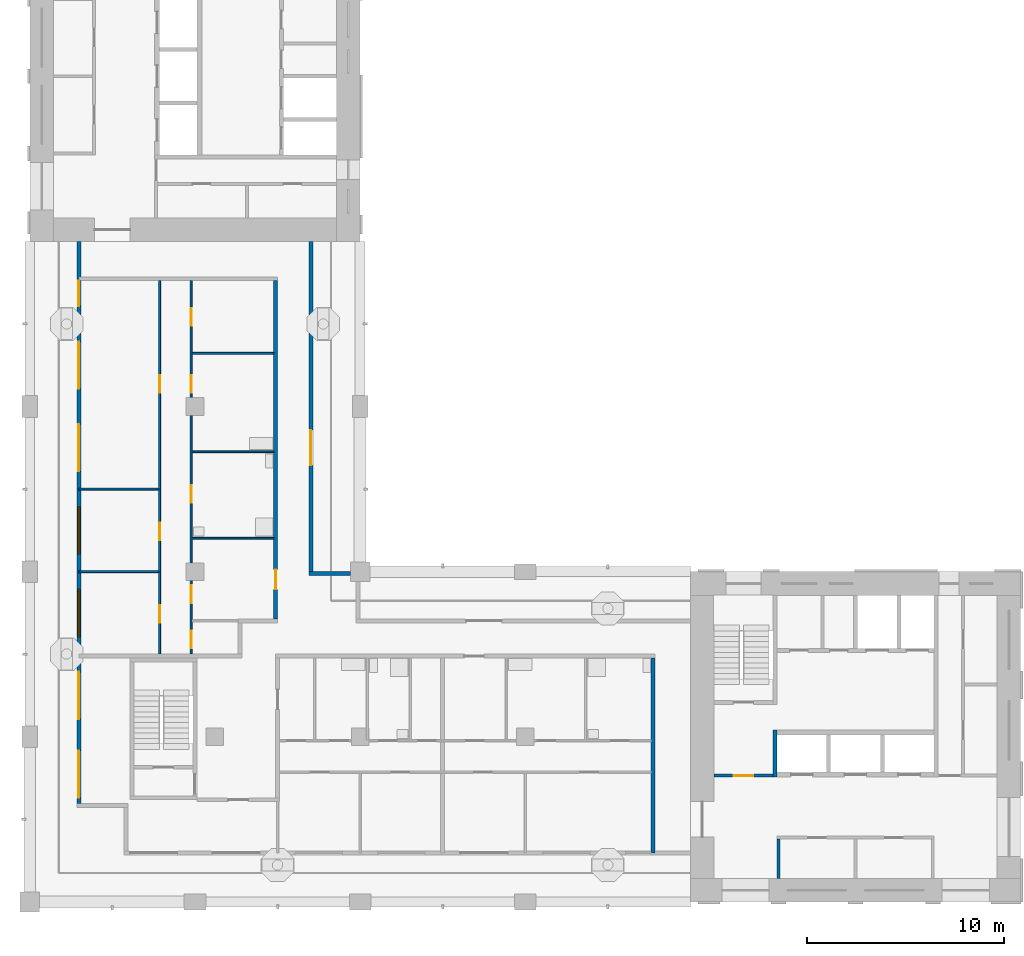
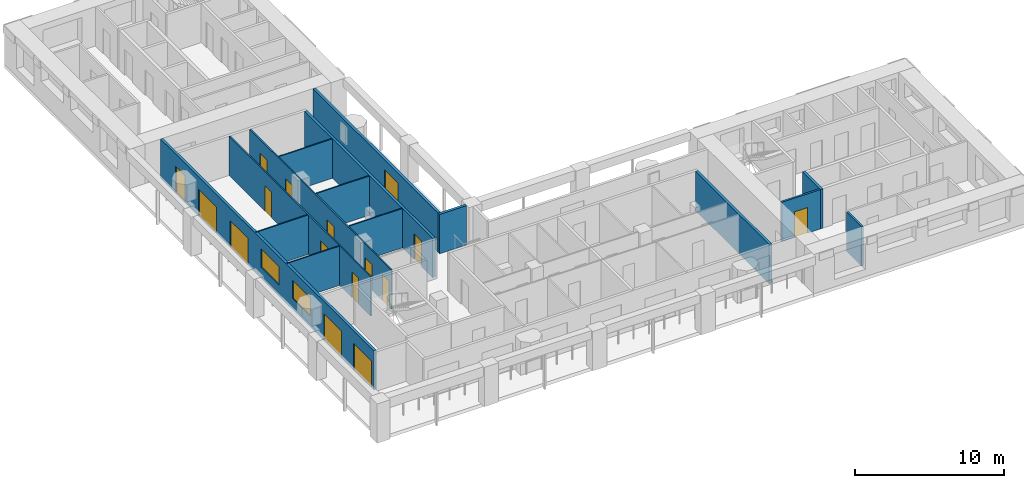
# One storey, part 3 of 11: 16 doors, 15 walls, 2 windows, 18 openings.
"""IFC4 building model written with IfcOpenShell, lengths in metres."""

from ifc_helpers import new_model, si_unit, direction, frame, frame_2d, origin, place, context, subcontext, project, spatial, rectangle, extrude, material, layer, layer_set, type_object, element, fill, save


model = new_model("IFC4")

# Units and contexts
model_context = context("Model", 3, precision=1e-05, world=origin(), true_north=direction((0.0, 1.0)))
body_context = subcontext(model_context, "Body", "Model", "MODEL_VIEW")
ifc_project = project(units=[si_unit("LENGTHUNIT", "METRE"), si_unit("AREAUNIT", "SQUARE_METRE"), si_unit("VOLUMEUNIT", "CUBIC_METRE"), si_unit("PLANEANGLEUNIT", "RADIAN"), si_unit("MASSUNIT", "GRAM", prefix="KILO")], contexts=[model_context])

# Site, building, storey
site_placement = place(None, origin())
site = spatial("IfcSite", under=ifc_project, at=site_placement, CompositionType="ELEMENT")
building_placement = place(site_placement, origin())
building = spatial("IfcBuilding", under=site, at=building_placement, Name="Vermilion Gate Residences", CompositionType="ELEMENT")
storey_placement = place(building_placement, frame((0.0, 0.0, 263.199951171875)))
storey = spatial("IfcBuildingStorey", under=building, at=storey_placement, Name="L69", CompositionType="ELEMENT", Elevation=263.199951171875)

# Wall
ifc_material_1 = material(Name="Masonry blockwork", Category="masonry")
ifc_layer_1 = layer(ifc_material_1, 0.14990234375)
ifc_layer_set_1 = layer_set([ifc_layer_1], Name="BLOCKWORK PARTITION 150 EI 120")
wall_type_1 = type_object("IfcWallType", Name="BLOCKWORK PARTITION 150 EI 120", PredefinedType="PARTITIONING", material=ifc_layer_set_1)
wall_1_placement = place(storey_placement, frame((46.47509765625, 9.60009765625, 0.0), z_axis=(0.0, 0.0, 1.0), x_axis=(0.0, 1.0, 0.0)))
element("IfcWall", 1, at=wall_1_placement, inside=storey, type_object=wall_type_1, Name="Core room partition A69-RW-W", PredefinedType="PARTITIONING", context=body_context, shape_type="SweptSolid", body=[
    extrude(rectangle(XDim=2.0, YDim=0.14990234375, at=frame_2d((1.0, 0.0))), origin(), (0.0, 0.0, 1.0), 3.219970703125),
])

# Wall, opening, door
wall_2_placement = place(storey_placement, frame((43.199951171875, 14.824951171875, 0.0), z_axis=(0.0, 0.0, 1.0), x_axis=(1.0, 0.0, 0.0)))
wall_2 = element("IfcWall", 2, at=wall_2_placement, inside=storey, type_object=wall_type_1, Name="Core room partition A69-VW-S", PredefinedType="PARTITIONING", context=body_context, shape_type="SweptSolid", body=[
    extrude(rectangle(XDim=3.0, YDim=0.14990234375, at=frame_2d((1.5, 0.0))), origin(), (0.0, 0.0, 1.0), 3.219970703125),
])
opening_1_placement = place(wall_2_placement, frame((1.0, 0.0, 0.0)))
opening_1 = element("IfcOpeningElement", 3, at=opening_1_placement, cuts=wall_2, Name="Opening DK69011", PredefinedType="OPENING", context=body_context, shape_type="SweptSolid", body=[
    extrude(rectangle(XDim=1.0, YDim=2.10009765625, at=frame_2d((0.5, 1.050048828125))), frame((0.0, 0.0849609375, 0.0), z_axis=(0.0, -1.0, 0.0), x_axis=(1.0, 0.0, 0.0)), (0.0, 0.0, 1.0), 0.169921875),
])
ifc_material_2 = material(Name="Steel", Category="steel")
door_type_1 = type_object("IfcDoorType", Name="FIRE DOOR FD60 1000 X 2100", OperationType="SINGLE_SWING_LEFT", PredefinedType="DOOR", material=ifc_material_2)
door_1_placement = place(opening_1_placement, frame((1.0, 0.0, 0.0), z_axis=(0.0, 0.0, 1.0), x_axis=(-1.0, 0.0, 0.0)))
door_1 = element("IfcDoor", 4, at=door_1_placement, inside=storey, type_object=door_type_1, Name="Stair vestibule door A69", OperationType="SINGLE_SWING_RIGHT", OverallHeight=2.10009765625, OverallWidth=1.0, PredefinedType="DOOR", context=body_context, shape_type="SweptSolid", body=[
    extrude(rectangle(XDim=1.0, YDim=2.10009765625, at=frame_2d((0.5, 1.050048828125))), frame((0.0, 0.02490234375, 0.0), z_axis=(0.0, -1.0, 0.0), x_axis=(1.0, 0.0, 0.0)), (0.0, 0.0, 1.0), 0.050048828125),
])
fill(opening_1, door_1)

# Wall, openings, doors, windows
ifc_material_3 = material(Name="Insulated steel stud wall with terracotta rainscreen", Category="masonry")
ifc_layer_2 = layer(ifc_material_3, 0.199951171875)
ifc_layer_set_2 = layer_set([ifc_layer_2], Name="EXTERNAL WALL 200 TERRACOTTA RAINSCREEN")
wall_type_2 = type_object("IfcWallType", Name="EXTERNAL WALL 200 TERRACOTTA RAINSCREEN", PredefinedType="SOLIDWALL", material=ifc_layer_set_2)
wall_3_placement = place(storey_placement, frame((10.89990234375, 42.0, 0.0), z_axis=(0.0, 0.0, 1.0), x_axis=(0.0, -1.0, 0.0)))
wall_3 = element("IfcWall", 5, at=wall_3_placement, inside=storey, type_object=wall_type_2, Name="External wall", PredefinedType="SOLIDWALL", context=body_context, shape_type="SweptSolid", body=[
    extrude(rectangle(XDim=28.60009765625, YDim=0.199951171875, at=frame_2d((14.300048828125, 0.0))), origin(), (0.0, 0.0, 1.0), 3.219970703125),
])
opening_2_placement = place(wall_3_placement, frame((25.89990234375, 0.0, 0.0)))
opening_2 = element("IfcOpeningElement", 6, at=opening_2_placement, cuts=wall_3, Name="Opening DE69001", PredefinedType="OPENING", context=body_context, shape_type="SweptSolid", body=[
    extrude(rectangle(XDim=2.39990234375, YDim=2.199951171875, at=frame_2d((1.199951171875, 1.10009765625))), frame((0.0, 0.10986328125, 0.0), z_axis=(0.0, -1.0, 0.0), x_axis=(1.0, 0.0, 0.0)), (0.0, 0.0, 1.0), 0.219970703125),
])
opening_3_placement = place(wall_3_placement, frame((21.89990234375, 0.0, 0.0)))
opening_3 = element("IfcOpeningElement", 7, at=opening_3_placement, cuts=wall_3, Name="Opening DE69002", PredefinedType="OPENING", context=body_context, shape_type="SweptSolid", body=[
    extrude(rectangle(XDim=2.39990234375, YDim=2.199951171875, at=frame_2d((1.199951171875, 1.10009765625))), frame((0.0, 0.10986328125, 0.0), z_axis=(0.0, -1.0, 0.0), x_axis=(1.0, 0.0, 0.0)), (0.0, 0.0, 1.0), 0.219970703125),
])
opening_4_placement = place(wall_3_placement, frame((17.699951171875, 0.0, 0.89990234375)))
opening_4 = element("IfcOpeningElement", 8, at=opening_4_placement, cuts=wall_3, Name="Opening WE69003", PredefinedType="OPENING", context=body_context, shape_type="SweptSolid", body=[
    extrude(rectangle(XDim=2.39990234375, YDim=1.5, at=frame_2d((1.199951171875, 0.75))), frame((0.0, 0.10986328125, 0.0), z_axis=(0.0, -1.0, 0.0), x_axis=(1.0, 0.0, 0.0)), (0.0, 0.0, 1.0), 0.219970703125),
])
opening_5_placement = place(wall_3_placement, frame((13.5, 0.0, 0.89990234375)))
opening_5 = element("IfcOpeningElement", 9, at=opening_5_placement, cuts=wall_3, Name="Opening WE69004", PredefinedType="OPENING", context=body_context, shape_type="SweptSolid", body=[
    extrude(rectangle(XDim=2.39990234375, YDim=1.5, at=frame_2d((1.199951171875, 0.75))), frame((0.0, 0.10986328125, 0.0), z_axis=(0.0, -1.0, 0.0), x_axis=(1.0, 0.0, 0.0)), (0.0, 0.0, 1.0), 0.219970703125),
])
opening_6_placement = place(wall_3_placement, frame((9.300048828125, 0.0, 0.0)))
opening_6 = element("IfcOpeningElement", 10, at=opening_6_placement, cuts=wall_3, Name="Opening DE69005", PredefinedType="OPENING", context=body_context, shape_type="SweptSolid", body=[
    extrude(rectangle(XDim=2.39990234375, YDim=2.199951171875, at=frame_2d((1.199951171875, 1.10009765625))), frame((0.0, 0.10986328125, 0.0), z_axis=(0.0, -1.0, 0.0), x_axis=(1.0, 0.0, 0.0)), (0.0, 0.0, 1.0), 0.219970703125),
])
opening_7_placement = place(wall_3_placement, frame((5.10009765625, 0.0, 0.0)))
opening_7 = element("IfcOpeningElement", 11, at=opening_7_placement, cuts=wall_3, Name="Opening DE69006", PredefinedType="OPENING", context=body_context, shape_type="SweptSolid", body=[
    extrude(rectangle(XDim=2.39990234375, YDim=2.199951171875, at=frame_2d((1.199951171875, 1.10009765625))), frame((0.0, 0.10986328125, 0.0), z_axis=(0.0, -1.0, 0.0), x_axis=(1.0, 0.0, 0.0)), (0.0, 0.0, 1.0), 0.219970703125),
])
opening_8_placement = place(wall_3_placement, frame((2.0, 0.0, 0.0)))
opening_8 = element("IfcOpeningElement", 12, at=opening_8_placement, cuts=wall_3, Name="Opening DE69007", PredefinedType="OPENING", context=body_context, shape_type="SweptSolid", body=[
    extrude(rectangle(XDim=1.300048828125, YDim=2.199951171875, at=frame_2d((0.64990234375, 1.10009765625))), frame((0.0, 0.10986328125, 0.0), z_axis=(0.0, -1.0, 0.0), x_axis=(1.0, 0.0, 0.0)), (0.0, 0.0, 1.0), 0.219970703125),
])
ifc_material_4 = material(Name="Aluminium and clear glass", Category="aluminium")
door_type_2 = type_object("IfcDoorType", Name="SLIDING GLAZED DOOR 1300 X 2200", OperationType="DOUBLE_DOOR_SLIDING", PredefinedType="DOOR", material=ifc_material_4)
door_2_placement = place(opening_8_placement, origin())
door_2 = element("IfcDoor", 13, at=door_2_placement, inside=storey, type_object=door_type_2, Name="Loggia sliding door", OperationType="DOUBLE_DOOR_SLIDING", OverallHeight=2.199951171875, OverallWidth=1.300048828125, PredefinedType="DOOR", context=body_context, shape_type="SweptSolid", body=[
    extrude(rectangle(XDim=1.300048828125, YDim=2.199951171875, at=frame_2d((0.64990234375, 1.10009765625))), frame((0.0, 0.02490234375, 0.0), z_axis=(0.0, -1.0, 0.0), x_axis=(1.0, 0.0, 0.0)), (0.0, 0.0, 1.0), 0.050048828125),
])
fill(opening_8, door_2)
ifc_material_5 = material(Name="Aluminium and clear glass", Category="aluminium")
door_type_3 = type_object("IfcDoorType", Name="SLIDING GLAZED DOOR 2400 X 2200", OperationType="DOUBLE_DOOR_SLIDING", PredefinedType="DOOR", material=ifc_material_5)
door_3_placement = place(opening_2_placement, origin())
door_3 = element("IfcDoor", 14, at=door_3_placement, inside=storey, type_object=door_type_3, Name="Loggia sliding door", OperationType="DOUBLE_DOOR_SLIDING", OverallHeight=2.199951171875, OverallWidth=2.39990234375, PredefinedType="DOOR", context=body_context, shape_type="SweptSolid", body=[
    extrude(rectangle(XDim=2.39990234375, YDim=2.199951171875, at=frame_2d((1.199951171875, 1.10009765625))), frame((0.0, 0.02490234375, 0.0), z_axis=(0.0, -1.0, 0.0), x_axis=(1.0, 0.0, 0.0)), (0.0, 0.0, 1.0), 0.050048828125),
])
fill(opening_2, door_3)
door_4_placement = place(opening_3_placement, origin())
door_4 = element("IfcDoor", 15, at=door_4_placement, inside=storey, type_object=door_type_3, Name="Loggia sliding door", OperationType="DOUBLE_DOOR_SLIDING", OverallHeight=2.199951171875, OverallWidth=2.39990234375, PredefinedType="DOOR", context=body_context, shape_type="SweptSolid", body=[
    extrude(rectangle(XDim=2.39990234375, YDim=2.199951171875, at=frame_2d((1.199951171875, 1.10009765625))), frame((0.0, 0.02490234375, 0.0), z_axis=(0.0, -1.0, 0.0), x_axis=(1.0, 0.0, 0.0)), (0.0, 0.0, 1.0), 0.050048828125),
])
fill(opening_3, door_4)
door_5_placement = place(opening_6_placement, origin())
door_5 = element("IfcDoor", 16, at=door_5_placement, inside=storey, type_object=door_type_3, Name="Loggia sliding door", OperationType="DOUBLE_DOOR_SLIDING", OverallHeight=2.199951171875, OverallWidth=2.39990234375, PredefinedType="DOOR", context=body_context, shape_type="SweptSolid", body=[
    extrude(rectangle(XDim=2.39990234375, YDim=2.199951171875, at=frame_2d((1.199951171875, 1.10009765625))), frame((0.0, 0.02490234375, 0.0), z_axis=(0.0, -1.0, 0.0), x_axis=(1.0, 0.0, 0.0)), (0.0, 0.0, 1.0), 0.050048828125),
])
fill(opening_6, door_5)
door_6_placement = place(opening_7_placement, origin())
door_6 = element("IfcDoor", 17, at=door_6_placement, inside=storey, type_object=door_type_3, Name="Loggia sliding door", OperationType="DOUBLE_DOOR_SLIDING", OverallHeight=2.199951171875, OverallWidth=2.39990234375, PredefinedType="DOOR", context=body_context, shape_type="SweptSolid", body=[
    extrude(rectangle(XDim=2.39990234375, YDim=2.199951171875, at=frame_2d((1.199951171875, 1.10009765625))), frame((0.0, 0.02490234375, 0.0), z_axis=(0.0, -1.0, 0.0), x_axis=(1.0, 0.0, 0.0)), (0.0, 0.0, 1.0), 0.050048828125),
])
fill(opening_7, door_6)
ifc_material_6 = material(Name="Aluminium and clear glass", Category="aluminium")
window_type = type_object("IfcWindowType", Name="WINDOW 2400 X 1500", PartitioningType="SINGLE_PANEL", PredefinedType="WINDOW", material=ifc_material_6)
window_1_placement = place(opening_4_placement, origin())
window_1 = element("IfcWindow", 18, at=window_1_placement, inside=storey, type_object=window_type, Name="Window", OverallHeight=1.5, OverallWidth=2.39990234375, PartitioningType="SINGLE_PANEL", PredefinedType="WINDOW", context=body_context, shape_type="SweptSolid", body=[
    extrude(rectangle(XDim=2.39990234375, YDim=1.5, at=frame_2d((1.199951171875, 0.75))), frame((0.0, 0.030029296875, 0.0), z_axis=(0.0, -1.0, 0.0), x_axis=(1.0, 0.0, 0.0)), (0.0, 0.0, 1.0), 0.06005859375),
])
fill(opening_4, window_1)
window_2_placement = place(opening_5_placement, origin())
window_2 = element("IfcWindow", 19, at=window_2_placement, inside=storey, type_object=window_type, Name="Window", OverallHeight=1.5, OverallWidth=2.39990234375, PartitioningType="SINGLE_PANEL", PredefinedType="WINDOW", context=body_context, shape_type="SweptSolid", body=[
    extrude(rectangle(XDim=2.39990234375, YDim=1.5, at=frame_2d((1.199951171875, 0.75))), frame((0.0, 0.030029296875, 0.0), z_axis=(0.0, -1.0, 0.0), x_axis=(1.0, 0.0, 0.0)), (0.0, 0.0, 1.0), 0.06005859375),
])
fill(opening_5, window_2)

# Wall
wall_4_placement = place(storey_placement, frame((24.699951171875, 25.10009765625, 0.0), z_axis=(0.0, 0.0, 1.0), x_axis=(-1.0, 0.0, 0.0)))
element("IfcWall", 20, at=wall_4_placement, inside=storey, type_object=wall_type_2, Name="External wall", PredefinedType="SOLIDWALL", context=body_context, shape_type="SweptSolid", body=[
    extrude(rectangle(XDim=2.099853515625, YDim=0.199951171875, at=frame_2d((1.0498046875, 0.0))), origin(), (0.0, 0.0, 1.0), 3.219970703125),
])

# Wall, opening, door
wall_5_placement = place(storey_placement, frame((22.699951171875, 25.199951171875, 0.0), z_axis=(0.0, 0.0, 1.0), x_axis=(0.0, 1.0, 0.0)))
wall_5 = element("IfcWall", 21, at=wall_5_placement, inside=storey, type_object=wall_type_2, Name="External wall", PredefinedType="SOLIDWALL", context=body_context, shape_type="SweptSolid", body=[
    extrude(rectangle(XDim=16.800048828125, YDim=0.199951171875, at=frame_2d((8.39990234375, 0.0))), origin(), (0.0, 0.0, 1.0), 3.219970703125),
])
opening_9_placement = place(wall_5_placement, frame((5.39990234375, 0.0, 0.0)))
opening_9 = element("IfcOpeningElement", 22, at=opening_9_placement, cuts=wall_5, Name="Opening DE69016", PredefinedType="OPENING", context=body_context, shape_type="SweptSolid", body=[
    extrude(rectangle(XDim=1.800048828125, YDim=2.39990234375, at=frame_2d((0.89990234375, 1.199951171875))), frame((0.0, 0.10986328125, 0.0), z_axis=(0.0, -1.0, 0.0), x_axis=(1.0, 0.0, 0.0)), (0.0, 0.0, 1.0), 0.219970703125),
])
ifc_material_7 = material(Name="Aluminium and clear glass", Category="aluminium")
door_type_4 = type_object("IfcDoorType", Name="GLAZED EXTERNAL DOOR 1800 X 2400", OperationType="DOUBLE_DOOR_SINGLE_SWING", PredefinedType="DOOR", material=ifc_material_7)
door_7_placement = place(opening_9_placement, frame((1.800048828125, 0.0, 0.0), z_axis=(0.0, 0.0, 1.0), x_axis=(-1.0, 0.0, 0.0)))
door_7 = element("IfcDoor", 23, at=door_7_placement, inside=storey, type_object=door_type_4, Name="Gallery door", OperationType="DOUBLE_DOOR_SINGLE_SWING", OverallHeight=2.39990234375, OverallWidth=1.800048828125, PredefinedType="DOOR", context=body_context, shape_type="SweptSolid", body=[
    extrude(rectangle(XDim=1.800048828125, YDim=2.39990234375, at=frame_2d((0.89990234375, 1.199951171875))), frame((0.0, 0.02490234375, 0.0), z_axis=(0.0, -1.0, 0.0), x_axis=(1.0, 0.0, 0.0)), (0.0, 0.0, 1.0), 0.050048828125),
])
fill(opening_9, door_7)

# Walls
ifc_material_8 = material(Name="Plasterboard on steel studs", Category="steel")
ifc_layer_3 = layer(ifc_material_8, 0.10009765625)
ifc_layer_set_3 = layer_set([ifc_layer_3], Name="PARTITION 100")
wall_type_3 = type_object("IfcWallType", Name="PARTITION 100", PredefinedType="PARTITIONING", material=ifc_layer_set_3)
wall_6_placement = place(storey_placement, frame((10.89990234375, 25.199951171875, 0.0), z_axis=(0.0, 0.0, 1.0), x_axis=(1.0, 0.0, 0.0)))
element("IfcWall", 24, at=wall_6_placement, inside=storey, type_object=wall_type_3, Name="Partition", PredefinedType="PARTITIONING", context=body_context, shape_type="SweptSolid", body=[
    extrude(rectangle(XDim=4.050048828125, YDim=0.10009765625, at=frame_2d((2.02490234375, 0.0))), origin(), (0.0, 0.0, 1.0), 3.219970703125),
])
wall_7_placement = place(storey_placement, frame((16.64990234375, 26.89990234375, 0.0), z_axis=(0.0, 0.0, 1.0), x_axis=(1.0, 0.0, 0.0)))
element("IfcWall", 25, at=wall_7_placement, inside=storey, type_object=wall_type_3, Name="Partition", PredefinedType="PARTITIONING", context=body_context, shape_type="SweptSolid", body=[
    extrude(rectangle(XDim=4.150146484375, YDim=0.10009765625, at=frame_2d((2.0751953125, 0.0))), origin(), (0.0, 0.0, 1.0), 3.219970703125),
])
wall_8_placement = place(storey_placement, frame((10.89990234375, 29.39990234375, 0.0), z_axis=(0.0, 0.0, 1.0), x_axis=(1.0, 0.0, 0.0)))
element("IfcWall", 26, at=wall_8_placement, inside=storey, type_object=wall_type_3, Name="Partition", PredefinedType="PARTITIONING", context=body_context, shape_type="SweptSolid", body=[
    extrude(rectangle(XDim=4.050048828125, YDim=0.10009765625, at=frame_2d((2.02490234375, 0.0))), origin(), (0.0, 0.0, 1.0), 3.219970703125),
])
for number, where, z_axis, x_axis, name in (
    (27, (16.64990234375, 31.300048828125, 0.0), (0.0, 0.0, 1.0), (1.0, 0.0, 0.0), "Partition"),
    (28, (16.64990234375, 36.300048828125, 0.0), (0.0, 0.0, 1.0), (1.0, 0.0, 0.0), "Partition"),
):
    element("IfcWall", number, at=place(storey_placement, frame(where, z_axis=z_axis, x_axis=x_axis)), inside=storey, type_object=wall_type_3, Name=name, PredefinedType="PARTITIONING", context=body_context, shape_type="SweptSolid", body=[
        extrude(rectangle(XDim=4.150146484375, YDim=0.10009765625, at=frame_2d((2.0751953125, 0.0))), origin(), (0.0, 0.0, 1.0), 3.219970703125),
    ])

# Wall, openings, doors
wall_9_placement = place(storey_placement, frame((15.0, 21.0, 0.0), z_axis=(0.0, 0.0, 1.0), x_axis=(0.0, 1.0, 0.0)))
wall_9 = element("IfcWall", 29, at=wall_9_placement, inside=storey, type_object=wall_type_3, Name="Partition", PredefinedType="PARTITIONING", context=body_context, shape_type="SweptSolid", body=[
    extrude(rectangle(XDim=19.0, YDim=0.10009765625, at=frame_2d((9.5, 0.0))), origin(), (0.0, 0.0, 1.0), 3.219970703125),
])
opening_10_placement = place(wall_9_placement, frame((1.60009765625, 0.0, 0.0)))
opening_10 = element("IfcOpeningElement", 30, at=opening_10_placement, cuts=wall_9, Name="Opening DA67014", PredefinedType="OPENING", context=body_context, shape_type="SweptSolid", body=[
    extrude(rectangle(XDim=0.89990234375, YDim=2.10009765625, at=frame_2d((0.449951171875, 1.050048828125))), frame((0.0, 0.06005859375, 0.0), z_axis=(0.0, -1.0, 0.0), x_axis=(1.0, 0.0, 0.0)), (0.0, 0.0, 1.0), 0.1201171875),
])
opening_11_placement = place(wall_9_placement, frame((5.800048828125, 0.0, 0.0)))
opening_11 = element("IfcOpeningElement", 31, at=opening_11_placement, cuts=wall_9, Name="Opening DA67015", PredefinedType="OPENING", context=body_context, shape_type="SweptSolid", body=[
    extrude(rectangle(XDim=0.89990234375, YDim=2.10009765625, at=frame_2d((0.449951171875, 1.050048828125))), frame((0.0, 0.06005859375, 0.0), z_axis=(0.0, -1.0, 0.0), x_axis=(1.0, 0.0, 0.0)), (0.0, 0.0, 1.0), 0.1201171875),
])
opening_12_placement = place(wall_9_placement, frame((13.300048828125, 0.0, 0.0)))
opening_12 = element("IfcOpeningElement", 32, at=opening_12_placement, cuts=wall_9, Name="Opening DA67016", PredefinedType="OPENING", context=body_context, shape_type="SweptSolid", body=[
    extrude(rectangle(XDim=0.89990234375, YDim=2.10009765625, at=frame_2d((0.449951171875, 1.050048828125))), frame((0.0, 0.06005859375, 0.0), z_axis=(0.0, -1.0, 0.0), x_axis=(1.0, 0.0, 0.0)), (0.0, 0.0, 1.0), 0.1201171875),
])
ifc_material_9 = material(Name="Timber", Category="wood")
door_type_5 = type_object("IfcDoorType", Name="INTERIOR DOOR 900 X 2100", OperationType="SINGLE_SWING_LEFT", PredefinedType="DOOR", material=ifc_material_9)
door_8_placement = place(opening_10_placement, origin())
door_8 = element("IfcDoor", 33, at=door_8_placement, inside=storey, type_object=door_type_5, Name="Interior door", OperationType="SINGLE_SWING_LEFT", OverallHeight=2.10009765625, OverallWidth=0.89990234375, PredefinedType="DOOR", context=body_context, shape_type="SweptSolid", body=[
    extrude(rectangle(XDim=0.89990234375, YDim=2.10009765625, at=frame_2d((0.449951171875, 1.050048828125))), frame((0.0, 0.02490234375, 0.0), z_axis=(0.0, -1.0, 0.0), x_axis=(1.0, 0.0, 0.0)), (0.0, 0.0, 1.0), 0.050048828125),
])
fill(opening_10, door_8)
door_9_placement = place(opening_11_placement, origin())
door_9 = element("IfcDoor", 34, at=door_9_placement, inside=storey, type_object=door_type_5, Name="Interior door", OperationType="SINGLE_SWING_LEFT", OverallHeight=2.10009765625, OverallWidth=0.89990234375, PredefinedType="DOOR", context=body_context, shape_type="SweptSolid", body=[
    extrude(rectangle(XDim=0.89990234375, YDim=2.10009765625, at=frame_2d((0.449951171875, 1.050048828125))), frame((0.0, 0.02490234375, 0.0), z_axis=(0.0, -1.0, 0.0), x_axis=(1.0, 0.0, 0.0)), (0.0, 0.0, 1.0), 0.050048828125),
])
fill(opening_11, door_9)
door_10_placement = place(opening_12_placement, origin())
door_10 = element("IfcDoor", 35, at=door_10_placement, inside=storey, type_object=door_type_5, Name="Interior door", OperationType="SINGLE_SWING_LEFT", OverallHeight=2.10009765625, OverallWidth=0.89990234375, PredefinedType="DOOR", context=body_context, shape_type="SweptSolid", body=[
    extrude(rectangle(XDim=0.89990234375, YDim=2.10009765625, at=frame_2d((0.449951171875, 1.050048828125))), frame((0.0, 0.02490234375, 0.0), z_axis=(0.0, -1.0, 0.0), x_axis=(1.0, 0.0, 0.0)), (0.0, 0.0, 1.0), 0.050048828125),
])
fill(opening_12, door_10)

wall_10_placement = place(storey_placement, frame((16.60009765625, 21.0, 0.0), z_axis=(0.0, 0.0, 1.0), x_axis=(0.0, 1.0, 0.0)))
wall_10 = element("IfcWall", 36, at=wall_10_placement, inside=storey, type_object=wall_type_3, Name="Partition", PredefinedType="PARTITIONING", context=body_context, shape_type="SweptSolid", body=[
    extrude(rectangle(XDim=19.0, YDim=0.10009765625, at=frame_2d((9.5, 0.0))), origin(), (0.0, 0.0, 1.0), 3.219970703125),
])
opening_13_placement = place(wall_10_placement, frame((2.60009765625, 0.0, 0.0)))
opening_13 = element("IfcOpeningElement", 37, at=opening_13_placement, cuts=wall_10, Name="Opening DA67017", PredefinedType="OPENING", context=body_context, shape_type="SweptSolid", body=[
    extrude(rectangle(XDim=0.89990234375, YDim=2.10009765625, at=frame_2d((0.449951171875, 1.050048828125))), frame((0.0, 0.06005859375, 0.0), z_axis=(0.0, -1.0, 0.0), x_axis=(1.0, 0.0, 0.0)), (0.0, 0.0, 1.0), 0.1201171875),
])
opening_14_placement = place(wall_10_placement, frame((0.300048828125, 0.0, 0.0)))
opening_14 = element("IfcOpeningElement", 38, at=opening_14_placement, cuts=wall_10, Name="Opening DA67018", PredefinedType="OPENING", context=body_context, shape_type="SweptSolid", body=[
    extrude(rectangle(XDim=0.89990234375, YDim=2.10009765625, at=frame_2d((0.449951171875, 1.050048828125))), frame((0.0, 0.06005859375, 0.0), z_axis=(0.0, -1.0, 0.0), x_axis=(1.0, 0.0, 0.0)), (0.0, 0.0, 1.0), 0.1201171875),
])
opening_15_placement = place(wall_10_placement, frame((7.699951171875, 0.0, 0.0)))
opening_15 = element("IfcOpeningElement", 39, at=opening_15_placement, cuts=wall_10, Name="Opening DA67019", PredefinedType="OPENING", context=body_context, shape_type="SweptSolid", body=[
    extrude(rectangle(XDim=0.89990234375, YDim=2.10009765625, at=frame_2d((0.449951171875, 1.050048828125))), frame((0.0, 0.06005859375, 0.0), z_axis=(0.0, -1.0, 0.0), x_axis=(1.0, 0.0, 0.0)), (0.0, 0.0, 1.0), 0.1201171875),
])
opening_16_placement = place(wall_10_placement, frame((13.300048828125, 0.0, 0.0)))
opening_16 = element("IfcOpeningElement", 40, at=opening_16_placement, cuts=wall_10, Name="Opening DA67020", PredefinedType="OPENING", context=body_context, shape_type="SweptSolid", body=[
    extrude(rectangle(XDim=0.89990234375, YDim=2.10009765625, at=frame_2d((0.449951171875, 1.050048828125))), frame((0.0, 0.06005859375, 0.0), z_axis=(0.0, -1.0, 0.0), x_axis=(1.0, 0.0, 0.0)), (0.0, 0.0, 1.0), 0.1201171875),
])
opening_17_placement = place(wall_10_placement, frame((16.699951171875, 0.0, 0.0)))
opening_17 = element("IfcOpeningElement", 41, at=opening_17_placement, cuts=wall_10, Name="Opening DA67021", PredefinedType="OPENING", context=body_context, shape_type="SweptSolid", body=[
    extrude(rectangle(XDim=0.89990234375, YDim=2.10009765625, at=frame_2d((0.449951171875, 1.050048828125))), frame((0.0, 0.06005859375, 0.0), z_axis=(0.0, -1.0, 0.0), x_axis=(1.0, 0.0, 0.0)), (0.0, 0.0, 1.0), 0.1201171875),
])
door_11_placement = place(opening_13_placement, frame((0.89990234375, 0.0, 0.0), z_axis=(0.0, 0.0, 1.0), x_axis=(-1.0, 0.0, 0.0)))
door_11 = element("IfcDoor", 42, at=door_11_placement, inside=storey, type_object=door_type_5, Name="Interior door", OperationType="SINGLE_SWING_LEFT", OverallHeight=2.10009765625, OverallWidth=0.89990234375, PredefinedType="DOOR", context=body_context, shape_type="SweptSolid", body=[
    extrude(rectangle(XDim=0.89990234375, YDim=2.10009765625, at=frame_2d((0.449951171875, 1.050048828125))), frame((0.0, 0.02490234375, 0.0), z_axis=(0.0, -1.0, 0.0), x_axis=(1.0, 0.0, 0.0)), (0.0, 0.0, 1.0), 0.050048828125),
])
fill(opening_13, door_11)
door_12_placement = place(opening_14_placement, frame((0.89990234375, 0.0, 0.0), z_axis=(0.0, 0.0, 1.0), x_axis=(-1.0, 0.0, 0.0)))
door_12 = element("IfcDoor", 43, at=door_12_placement, inside=storey, type_object=door_type_5, Name="Interior door", OperationType="SINGLE_SWING_RIGHT", OverallHeight=2.10009765625, OverallWidth=0.89990234375, PredefinedType="DOOR", context=body_context, shape_type="SweptSolid", body=[
    extrude(rectangle(XDim=0.89990234375, YDim=2.10009765625, at=frame_2d((0.449951171875, 1.050048828125))), frame((0.0, 0.02490234375, 0.0), z_axis=(0.0, -1.0, 0.0), x_axis=(1.0, 0.0, 0.0)), (0.0, 0.0, 1.0), 0.050048828125),
])
fill(opening_14, door_12)
door_13_placement = place(opening_15_placement, frame((0.89990234375, 0.0, 0.0), z_axis=(0.0, 0.0, 1.0), x_axis=(-1.0, 0.0, 0.0)))
door_13 = element("IfcDoor", 44, at=door_13_placement, inside=storey, type_object=door_type_5, Name="Interior door", OperationType="SINGLE_SWING_RIGHT", OverallHeight=2.10009765625, OverallWidth=0.89990234375, PredefinedType="DOOR", context=body_context, shape_type="SweptSolid", body=[
    extrude(rectangle(XDim=0.89990234375, YDim=2.10009765625, at=frame_2d((0.449951171875, 1.050048828125))), frame((0.0, 0.02490234375, 0.0), z_axis=(0.0, -1.0, 0.0), x_axis=(1.0, 0.0, 0.0)), (0.0, 0.0, 1.0), 0.050048828125),
])
fill(opening_15, door_13)
door_14_placement = place(opening_16_placement, frame((0.89990234375, 0.0, 0.0), z_axis=(0.0, 0.0, 1.0), x_axis=(-1.0, 0.0, 0.0)))
door_14 = element("IfcDoor", 45, at=door_14_placement, inside=storey, type_object=door_type_5, Name="Interior door", OperationType="SINGLE_SWING_RIGHT", OverallHeight=2.10009765625, OverallWidth=0.89990234375, PredefinedType="DOOR", context=body_context, shape_type="SweptSolid", body=[
    extrude(rectangle(XDim=0.89990234375, YDim=2.10009765625, at=frame_2d((0.449951171875, 1.050048828125))), frame((0.0, 0.02490234375, 0.0), z_axis=(0.0, -1.0, 0.0), x_axis=(1.0, 0.0, 0.0)), (0.0, 0.0, 1.0), 0.050048828125),
])
fill(opening_16, door_14)
door_15_placement = place(opening_17_placement, frame((0.89990234375, 0.0, 0.0), z_axis=(0.0, 0.0, 1.0), x_axis=(-1.0, 0.0, 0.0)))
door_15 = element("IfcDoor", 46, at=door_15_placement, inside=storey, type_object=door_type_5, Name="Interior door", OperationType="SINGLE_SWING_RIGHT", OverallHeight=2.10009765625, OverallWidth=0.89990234375, PredefinedType="DOOR", context=body_context, shape_type="SweptSolid", body=[
    extrude(rectangle(XDim=0.89990234375, YDim=2.10009765625, at=frame_2d((0.449951171875, 1.050048828125))), frame((0.0, 0.02490234375, 0.0), z_axis=(0.0, -1.0, 0.0), x_axis=(1.0, 0.0, 0.0)), (0.0, 0.0, 1.0), 0.050048828125),
])
fill(opening_17, door_15)

# Wall, opening, door
ifc_material_10 = material(Name="Fire-rated plasterboard on steel studs", Category="steel")
ifc_layer_4 = layer(ifc_material_10, 0.199951171875)
ifc_layer_set_4 = layer_set([ifc_layer_4], Name="PARTY WALL 200 EI 120")
wall_type_4 = type_object("IfcWallType", Name="PARTY WALL 200 EI 120", PredefinedType="PARTITIONING", material=ifc_layer_set_4)
wall_11_placement = place(storey_placement, frame((20.89990234375, 22.800048828125, 0.0), z_axis=(0.0, 0.0, 1.0), x_axis=(0.0, 1.0, 0.0)))
wall_11 = element("IfcWall", 47, at=wall_11_placement, inside=storey, type_object=wall_type_4, Name="Party and corridor wall", PredefinedType="PARTITIONING", context=body_context, shape_type="SweptSolid", body=[
    extrude(rectangle(XDim=17.199951171875, YDim=0.199951171875, at=frame_2d((8.60009765625, 0.0))), origin(), (0.0, 0.0, 1.0), 3.219970703125),
])
opening_18_placement = place(wall_11_placement, frame((1.5, 0.0, 0.0)))
opening_18 = element("IfcOpeningElement", 48, at=opening_18_placement, cuts=wall_11, Name="Opening DA67022", PredefinedType="OPENING", context=body_context, shape_type="SweptSolid", body=[
    extrude(rectangle(XDim=1.0, YDim=2.10009765625, at=frame_2d((0.5, 1.050048828125))), frame((0.0, 0.10986328125, 0.0), z_axis=(0.0, -1.0, 0.0), x_axis=(1.0, 0.0, 0.0)), (0.0, 0.0, 1.0), 0.219970703125),
])
ifc_material_11 = material(Name="Steel", Category="steel")
door_type_6 = type_object("IfcDoorType", Name="ENTRANCE DOOR 1000 X 2100 FD30", OperationType="SINGLE_SWING_LEFT", PredefinedType="DOOR", material=ifc_material_11)
door_16_placement = place(opening_18_placement, origin())
door_16 = element("IfcDoor", 49, at=door_16_placement, inside=storey, type_object=door_type_6, Name="Entrance door", OperationType="SINGLE_SWING_LEFT", OverallHeight=2.10009765625, OverallWidth=1.0, PredefinedType="DOOR", context=body_context, shape_type="SweptSolid", body=[
    extrude(rectangle(XDim=1.0, YDim=2.10009765625, at=frame_2d((0.5, 1.050048828125))), frame((0.0, 0.02490234375, 0.0), z_axis=(0.0, -1.0, 0.0), x_axis=(1.0, 0.0, 0.0)), (0.0, 0.0, 1.0), 0.050048828125),
])
fill(opening_18, door_16)

# Walls
wall_12_placement = place(storey_placement, frame((40.10009765625, 10.89990234375, 0.0), z_axis=(0.0, 0.0, 1.0), x_axis=(0.0, 1.0, 0.0)))
element("IfcWall", 50, at=wall_12_placement, inside=storey, type_object=wall_type_4, Name="Party and corridor wall", PredefinedType="PARTITIONING", context=body_context, shape_type="SweptSolid", body=[
    extrude(rectangle(XDim=9.900146484375, YDim=0.199951171875, at=frame_2d((4.9501953125, 0.0))), origin(), (0.0, 0.0, 1.0), 3.219970703125),
])
ifc_material_12 = material(Name="Concrete C60", Category="concrete")
ifc_layer_5 = layer(ifc_material_12, 0.199951171875)
ifc_layer_set_5 = layer_set([ifc_layer_5], Name="RC CORE INTERNAL WALL 200 C60")
wall_type_5 = type_object("IfcWallType", Name="RC CORE INTERNAL WALL 200 C60", PredefinedType="SHEAR", material=ifc_layer_set_5)
wall_13_placement = place(storey_placement, frame((46.300048828125, 14.75, 0.0), z_axis=(0.0, 0.0, 1.0), x_axis=(0.0, 1.0, 0.0)))
element("IfcWall", 51, at=wall_13_placement, inside=storey, type_object=wall_type_5, Name="Core internal wall A69-WDIV1", PredefinedType="SHEAR", context=body_context, shape_type="SweptSolid", body=[
    extrude(rectangle(XDim=2.39990234375, YDim=0.199951171875, at=frame_2d((1.199951171875, 0.0))), origin(), (0.0, 0.0, 1.0), 3.219970703125),
])

save(model, "model.ifc")
